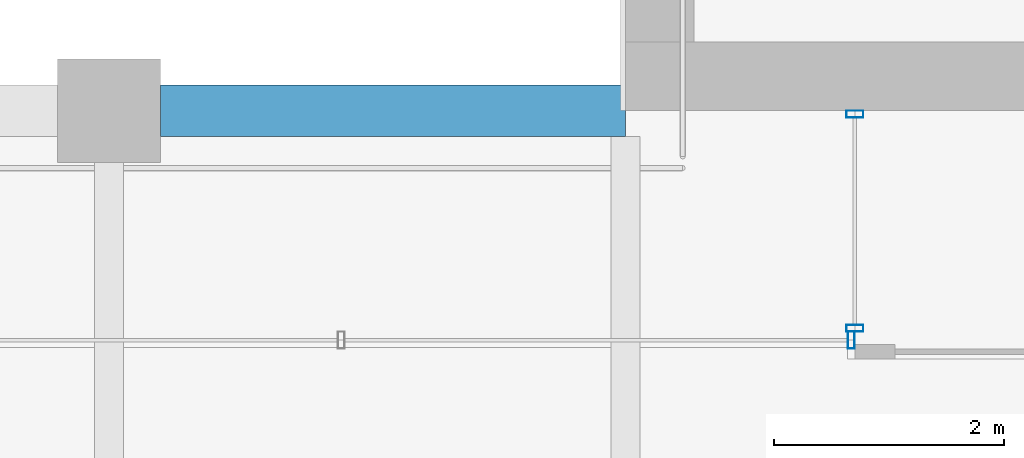
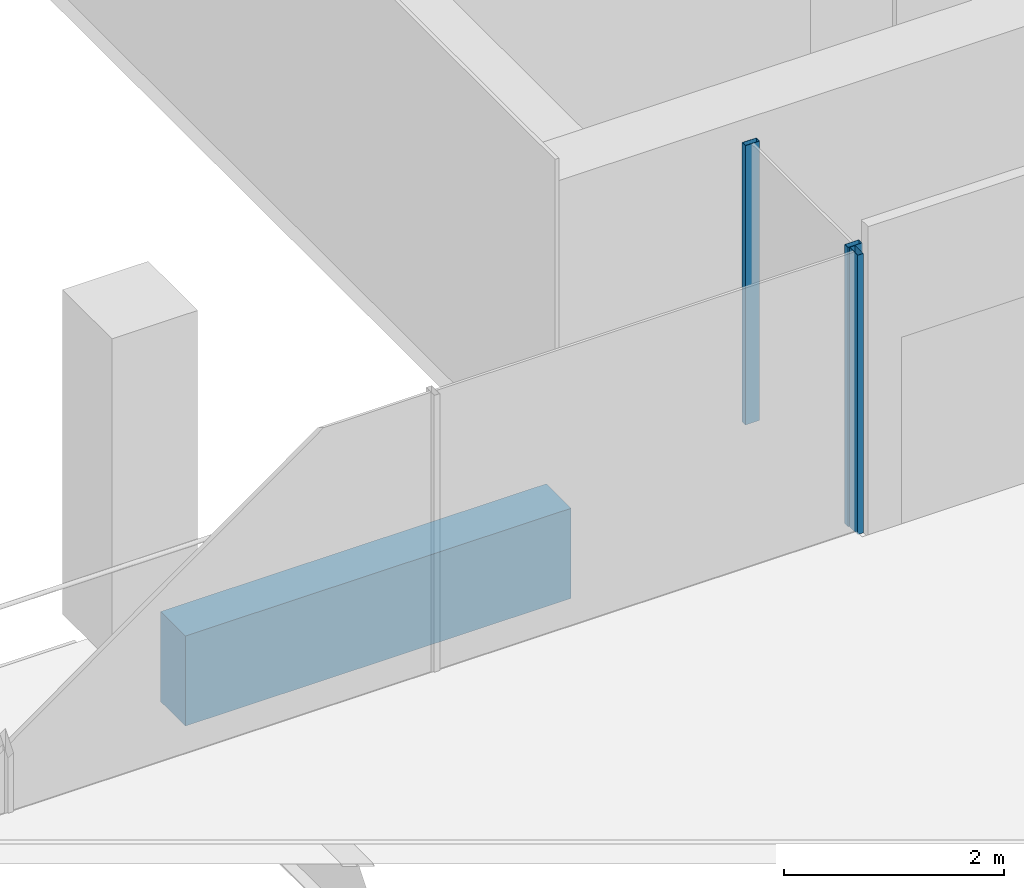
# One storey, part 6 of 40: 3 members, 1 beam, 2 elements without a shape of their own.
"""IFC4 building model written with IfcOpenShell, lengths in metres."""

from ifc_helpers import new_model, si_unit, direction, frame, origin, origin_2d, place, context, subcontext, project, spatial, rectangle, hollow_rectangle, extrude, material, material_profile, profile_set, type_object, element, aggregate, save


model = new_model("IFC4")

# Units and contexts
model_context = context("Model", 3, precision=1e-05, world=origin(), true_north=direction((0.0, 1.0)))
body_context = subcontext(model_context, "Body", "Model", "MODEL_VIEW")
ifc_project = project(units=[si_unit("LENGTHUNIT", "METRE"), si_unit("AREAUNIT", "SQUARE_METRE"), si_unit("VOLUMEUNIT", "CUBIC_METRE"), si_unit("PLANEANGLEUNIT", "RADIAN"), si_unit("MASSUNIT", "GRAM", prefix="KILO")], contexts=[model_context])

# Site, building, storey
site_placement = place(None, origin())
site = spatial("IfcSite", under=ifc_project, at=site_placement, CompositionType="ELEMENT")
building_placement = place(site_placement, origin())
building = spatial("IfcBuilding", under=site, at=building_placement, Name="Altepetl Exchange Towers", CompositionType="ELEMENT")
storey_placement = place(building_placement, frame((0.0, 0.0, 158.199951171875)))
storey = spatial("IfcBuildingStorey", under=building, at=storey_placement, Name="L39", CompositionType="ELEMENT", Elevation=158.199951171875)

# Curtain wall, members
ifc_material_1 = material(Name="Aluminium 6063-T6 glazing", Category="aluminium")
curtain_wall_type = type_object("IfcCurtainWallType", Name="Loggia glazing system", PredefinedType="NOTDEFINED", material=ifc_material_1)
curtain_wall_1_placement = place(storey_placement, origin())
curtain_wall_1 = element("IfcCurtainWall", 1, at=curtain_wall_1_placement, inside=storey, type_object=curtain_wall_type, Name="CW1 run", PredefinedType="NOTDEFINED")
ifc_material_2 = material(Name="Aluminium 6063-T6", Category="aluminium")
ifc_material_profile_1 = material_profile(ifc_material_2, hollow_rectangle(XDim=0.06005859375, YDim=0.14990234375, WallThickness=0.0029296875, at=origin_2d()), Name="Mullion 60x150 aluminium")
ifc_profile_set_1 = profile_set([ifc_material_profile_1], Name="Aluminium 6063-T6")
member_type = type_object("IfcMemberType", Name="Mullion 60x150 aluminium", PredefinedType="MULLION", material=ifc_profile_set_1)
member_1_placement = place(storey_placement, frame((42.5, 40.469970703125, 0.0), z_axis=(0.0, 0.0, 1.0), x_axis=(0.0, -1.0, 0.0)))
member_1 = element("IfcMember", 2, at=member_1_placement, type_object=member_type, Name="MU1 mullion", PredefinedType="MULLION", context=body_context, shape_type="SweptSolid", body=[
    extrude(hollow_rectangle(XDim=0.06005859375, YDim=0.14990234375, WallThickness=0.0029296875, at=origin_2d()), origin(), (0.0, 0.0, 1.0), 3.10009765625),
])
member_2_placement = place(storey_placement, frame((42.5, 38.60498046875, 0.0), z_axis=(0.0, 0.0, 1.0), x_axis=(0.0, -1.0, 0.0)))
member_2 = element("IfcMember", 3, at=member_2_placement, type_object=member_type, Name="MU1 mullion", PredefinedType="MULLION", context=body_context, shape_type="SweptSolid", body=[
    extrude(hollow_rectangle(XDim=0.06005859375, YDim=0.14990234375, WallThickness=0.0029296875, at=origin_2d()), origin(), (0.0, 0.0, 1.0), 3.10009765625),
])
aggregate(curtain_wall_1, [member_1, member_2])

# Curtain wall, member
curtain_wall_2_placement = place(storey_placement, origin())
curtain_wall_2 = element("IfcCurtainWall", 4, at=curtain_wall_2_placement, inside=storey, type_object=curtain_wall_type, Name="CW1 run", PredefinedType="NOTDEFINED")
member_3_placement = place(storey_placement, frame((42.469970703125, 38.5, 0.0), z_axis=(0.0, 0.0, 1.0), x_axis=(-1.0, 0.0, 0.0)))
member_3 = element("IfcMember", 5, at=member_3_placement, type_object=member_type, Name="MU1 mullion", PredefinedType="MULLION", context=body_context, shape_type="SweptSolid", body=[
    extrude(hollow_rectangle(XDim=0.06005859375, YDim=0.14990234375, WallThickness=0.0029296875, at=origin_2d()), origin(), (0.0, 0.0, 1.0), 3.10009765625),
])
aggregate(curtain_wall_2, [member_3])

# Beam
ifc_material_3 = material(Name="Concrete C50/60 precast with tezontle facing", Category="concrete")
ifc_material_profile_2 = material_profile(ifc_material_3, rectangle(XDim=0.449951171875, YDim=1.0, at=origin_2d()), Name="450 x 1000")
ifc_profile_set_2 = profile_set([ifc_material_profile_2], Name="Concrete C50/60 precast with tezontle facing")
beam_type = type_object("IfcBeamType", Name="Spandrel beam 450x1000 tezontle", PredefinedType="SPANDREL", material=ifc_profile_set_2)
beam_placement = place(storey_placement, frame((40.5, 40.5, -0.64990234375), z_axis=(-1.0, 0.0, 0.0), x_axis=(0.0, -1.0, 0.0)))
element("IfcBeam", 6, at=beam_placement, inside=storey, type_object=beam_type, Name="sp:A:L39:033", PredefinedType="SPANDREL", context=body_context, shape_type="SweptSolid", body=[
    extrude(rectangle(XDim=0.449951171875, YDim=1.0, at=origin_2d()), origin(), (0.0, 0.0, 1.0), 4.050048828125),
])

save(model, "model.ifc")
